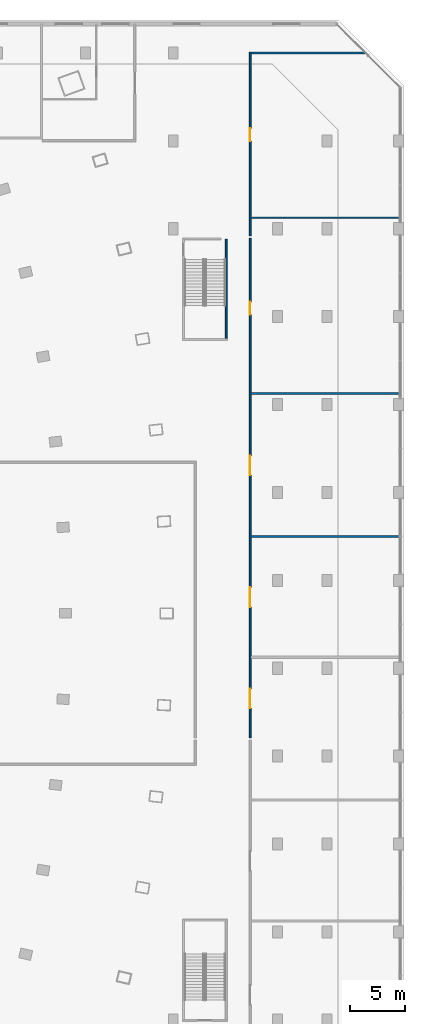
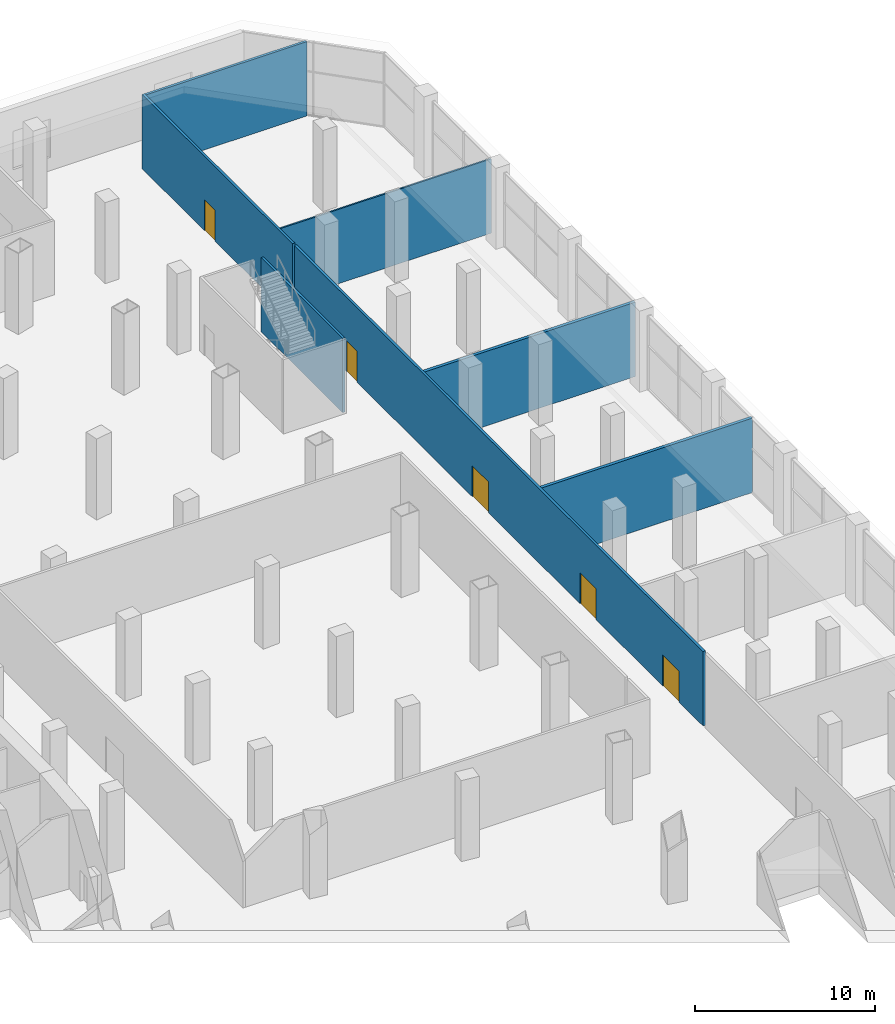
# One storey, part 18 of 26: 7 walls, 5 doors, 5 openings.
"""IFC4 building model written with IfcOpenShell, lengths in metres."""

import ifcopenshell
import ifcopenshell.guid

model = None  # the IFC model being written
_history = None  # IfcOwnerHistory: only IFC2X3 demands one
_inside = {}  # id of a spatial element -> (the spatial element, [elements in it])
_under = {}  # id of a project, library or spatial element -> (it, [spatial elements below it])
_declared = {}  # id of a project -> (the project, [libraries it declares])
_typed = {}  # id of a type object -> (the type object, [elements of that type])
_made_of = {}  # id of a material, layer set ... -> (it, [elements and type objects made of it])


def new_model(schema):
    """Start an empty IFC model of exactly this schema.

    Asked for "IFC4X3", IfcOpenShell would pick the latest addendum, in which some entities
    have other attributes; the version numbers below select the first issue.
    IFC2X3 requires an IfcOwnerHistory on every rooted entity: one is made here for all.
    """
    global model, _history
    if schema == "IFC4X3":
        model = ifcopenshell.file(schema_version=(4, 3, 0, 0))
    else:
        model = ifcopenshell.file(schema=schema)
    _inside.clear()
    _under.clear()
    _declared.clear()
    _typed.clear()
    _made_of.clear()
    _history = None
    if model.schema == "IFC2X3":
        org = make("IfcOrganization", Name="unknown")
        user = make(
            "IfcPersonAndOrganization",
            ThePerson=make("IfcPerson", FamilyName="unknown"),
            TheOrganization=org,
        )
        app = make(
            "IfcApplication",
            ApplicationDeveloper=org,
            Version="unknown",
            ApplicationFullName="unknown",
            ApplicationIdentifier="unknown",
        )
        _history = make(
            "IfcOwnerHistory",
            OwningUser=user,
            OwningApplication=app,
            ChangeAction="ADDED",
            CreationDate=0,
        )
    return model


def make(cls, **values):
    """One entity of the class cls with the attributes given. An attribute that is None is left unset."""
    return model.create_entity(
        cls, **{name: value for name, value in values.items() if value is not None}
    )


def rooted(cls, **values):
    """An entity with a GlobalId (a new one), such as an element, a storey or a relation."""
    return make(cls, GlobalId=ifcopenshell.guid.new(), OwnerHistory=_history, **values)


def si_unit(unit_type, name, prefix=None):
    """IfcSIUnit, for example si_unit("LENGTHUNIT", "METRE", prefix="MILLI")."""
    return make("IfcSIUnit", UnitType=unit_type, Prefix=prefix, Name=name)


def assignment(units):
    """IfcUnitAssignment: the units of a project."""
    return None if units is None else make("IfcUnitAssignment", Units=units)


def point(xyz):
    """IfcCartesianPoint."""
    return None if xyz is None else make("IfcCartesianPoint", Coordinates=xyz)


def direction(xyz):
    """IfcDirection."""
    return None if xyz is None else make("IfcDirection", DirectionRatios=xyz)


def frame(location, z_axis=None, x_axis=None):
    """IfcAxis2Placement3D, a coordinate frame: its origin and axes. An axis left out is left unset."""
    return make(
        "IfcAxis2Placement3D",
        Location=point(location),
        Axis=direction(z_axis),
        RefDirection=direction(x_axis),
    )


def frame_2d(location, x_axis=None):
    """IfcAxis2Placement2D, a coordinate frame in the plane: its origin and x axis."""
    return make(
        "IfcAxis2Placement2D", Location=point(location), RefDirection=direction(x_axis)
    )


def origin():
    """The frame at (0, 0, 0) with its axes left unset."""
    return frame((0.0, 0.0, 0.0))


def place(relative_to, where):
    """IfcLocalPlacement: puts the frame where relative to a parent placement (None: the world)."""
    return make(
        "IfcLocalPlacement", PlacementRelTo=relative_to, RelativePlacement=where
    )


def context(
    kind, dimensions, precision=None, world=None, true_north=None, identifier=None
):
    """IfcGeometricRepresentationContext, for example the 3D "Model" context."""
    return make(
        "IfcGeometricRepresentationContext",
        ContextIdentifier=identifier,
        ContextType=kind,
        CoordinateSpaceDimension=dimensions,
        Precision=precision,
        WorldCoordinateSystem=world,
        TrueNorth=true_north,
    )


def subcontext(parent, identifier, kind, view, scale=None):
    """IfcGeometricRepresentationSubContext, for example "Body" below "Model"."""
    return make(
        "IfcGeometricRepresentationSubContext",
        ContextIdentifier=identifier,
        ContextType=kind,
        ParentContext=parent,
        TargetScale=scale,
        TargetView=view,
    )


def project(units=None, contexts=None):
    """IfcProject with its units and contexts."""
    return rooted(
        "IfcProject",
        Name="project",
        RepresentationContexts=contexts,
        UnitsInContext=assignment(units),
    )


def spatial(cls, under=None, at=None, **own):
    """A site, building, storey or space (cls), placed at a placement, below another one or the project."""
    s = rooted(cls, ObjectPlacement=at, **own)
    if under is not None:
        _under.setdefault(under.id(), (under, []))[1].append(s)
    return s


def profile(cls, at=None, kind="AREA", **sizes):
    """A parametric profile (cls). Its sizes go by their IFC names, for example OverallWidth=200.0."""
    return make(cls, ProfileType=kind, Position=at, **sizes)


def rectangle(**sizes):
    """IfcRectangleProfileDef."""
    return profile("IfcRectangleProfileDef", **sizes)


def extrude(swept, where, along, depth):
    """IfcExtrudedAreaSolid: the profile swept, set in the frame where, extruded along a direction by depth."""
    return make(
        "IfcExtrudedAreaSolid",
        SweptArea=swept,
        Position=where,
        ExtrudedDirection=direction(along),
        Depth=depth,
    )


def shape(context_of_items, identifier, shape_type, items):
    """IfcShapeRepresentation: the items that make up one representation, for example the "Body"."""
    return make(
        "IfcShapeRepresentation",
        ContextOfItems=context_of_items,
        RepresentationIdentifier=identifier,
        RepresentationType=shape_type,
        Items=items,
    )


def material(Name=None, Category=None):
    """IfcMaterial."""
    return make("IfcMaterial", Name=Name, Category=Category)


def layer(
    of_material, thickness, ventilated=None, Name=None, Category=None, Priority=None
):
    """IfcMaterialLayer: one layer of a wall or slab, of a material (None: an air gap)."""
    return make(
        "IfcMaterialLayer",
        Material=of_material,
        LayerThickness=thickness,
        IsVentilated=ventilated,
        Name=Name,
        Category=Category,
        Priority=Priority,
    )


def layer_set(layers, Name=None):
    """IfcMaterialLayerSet."""
    return make("IfcMaterialLayerSet", MaterialLayers=layers, LayerSetName=Name)


def made_of(thing, what):
    """Note that an element or type object is made of a material, layer set ...; save() writes the relation."""
    if what is not None:
        _made_of.setdefault(what.id(), (what, []))[1].append(thing)
    return thing


def type_object(cls, material=None, **own):
    """A type object (cls), such as IfcWallType, which elements share."""
    return made_of(rooted(cls, **own), material)


def element(
    cls,
    number,
    at=None,
    inside=None,
    cuts=None,
    type_object=None,
    material=None,
    context=None,
    identifier="Body",
    shape_type=None,
    held_by="IfcProductDefinitionShape",
    body=None,
    shapes=None,
    **own,
):
    """One element of the class cls, such as IfcWall. Its Tag is "e" and its number.

    at: its placement. inside: the storey or other place that contains it. cuts: it is an
    opening in that element (IfcRelVoidsElement). A single representation is given by context,
    identifier, shape_type and body (its items); several are given by shapes. held_by: the class
    of the entity that holds the representations. save() writes the other relations.
    """
    e = rooted(cls, Tag="e%d" % number, ObjectPlacement=at, **own)
    if body is not None:
        shapes = [shape(context, identifier, shape_type, body)]
    if shapes is not None:
        e.Representation = make(held_by, Representations=shapes)
    if inside is not None:
        _inside.setdefault(inside.id(), (inside, []))[1].append(e)
    if cuts is not None:
        rooted(
            "IfcRelVoidsElement", RelatingBuildingElement=cuts, RelatedOpeningElement=e
        )
    if type_object is not None:
        _typed.setdefault(type_object.id(), (type_object, []))[1].append(e)
    return made_of(e, material)


def fill(opening, filler):
    """IfcRelFillsElement: the door or window that sits in an opening."""
    return rooted(
        "IfcRelFillsElement",
        RelatingOpeningElement=opening,
        RelatedBuildingElement=filler,
    )


def aggregate(whole, parts):
    """IfcRelAggregates: a whole, such as a stair, and the parts it consists of."""
    return rooted("IfcRelAggregates", RelatingObject=whole, RelatedObjects=parts)


def save(model, path):
    """Write the relations noted so far, then the file.

    IfcRelAggregates (storeys below a building ...), IfcRelContainedInSpatialStructure (elements
    in a storey), IfcRelDefinesByType, IfcRelAssociatesMaterial and IfcRelDeclares: one each for
    every whole, place, type object, material and project.
    """
    for whole, parts in _under.values():
        aggregate(whole, parts)
    for where, things in _inside.values():
        rooted(
            "IfcRelContainedInSpatialStructure",
            RelatedElements=things,
            RelatingStructure=where,
        )
    for kind, things in _typed.values():
        rooted("IfcRelDefinesByType", RelatedObjects=things, RelatingType=kind)
    for what, things in _made_of.values():
        rooted("IfcRelAssociatesMaterial", RelatedObjects=things, RelatingMaterial=what)
    for by, libraries in _declared.values():
        rooted("IfcRelDeclares", RelatingContext=by, RelatedDefinitions=libraries)
    model.write(path)


model = new_model("IFC4")

# Units and contexts
model_context = context("Model", 3, precision=1e-05, world=origin(), true_north=direction((0.0, 1.0)))
body_context = subcontext(model_context, "Body", "Model", "MODEL_VIEW")
ifc_project = project(units=[si_unit("LENGTHUNIT", "METRE"), si_unit("AREAUNIT", "SQUARE_METRE"), si_unit("VOLUMEUNIT", "CUBIC_METRE"), si_unit("PLANEANGLEUNIT", "RADIAN"), si_unit("MASSUNIT", "GRAM", prefix="KILO")], contexts=[model_context])

# Site, building, storey
site_placement = place(None, origin())
site = spatial("IfcSite", under=ifc_project, at=site_placement, CompositionType="ELEMENT")
building_placement = place(site_placement, origin())
building = spatial("IfcBuilding", under=site, at=building_placement, Name="Alderwake Tower", CompositionType="ELEMENT")
storey_placement = place(building_placement, frame((0.0, 0.0, 8.0)))
storey = spatial("IfcBuildingStorey", under=building, at=storey_placement, Name="L01", CompositionType="ELEMENT", Elevation=8.0)

# Wall, openings, doors
ifc_material_1 = material(Name="Gypsum board on metal studs, rated")
ifc_layer_1 = layer(ifc_material_1, 0.159912109375)
ifc_layer_set_1 = layer_set([ifc_layer_1], Name="Corridor wall 160")
wall_type_1 = type_object("IfcWallType", Name="Corridor wall 160", PredefinedType="PARTITIONING", material=ifc_layer_set_1)
wall_1_placement = place(storey_placement, frame((71.0009765625, 49.667724609375, 0.0), z_axis=(0.0, 0.0, 1.0), x_axis=(0.0, 1.0, 0.0)))
wall_1 = element("IfcWall", 1, at=wall_1_placement, inside=storey, type_object=wall_type_1, Name="WL/L01/W61", PredefinedType="PARTITIONING", context=body_context, shape_type="SweptSolid", body=[
    extrude(rectangle(XDim=45.476318359375, YDim=0.159912109375, at=frame_2d((22.73828125, 0.0))), origin(), (0.0, 0.0, 1.0), 5.050048828125),
])
opening_1_placement = place(wall_1_placement, frame((2.682373046875, 0.0, 0.0)))
opening_1 = element("IfcOpeningElement", 2, at=opening_1_placement, cuts=wall_1, Name="Opening L01-04", PredefinedType="OPENING", context=body_context, shape_type="SweptSolid", body=[
    extrude(rectangle(XDim=1.800048828125, YDim=2.10009765625, at=frame_2d((0.89990234375, 1.050048828125))), frame((0.0, 0.08984375, 0.0), z_axis=(0.0, -1.0, 0.0), x_axis=(1.0, 0.0, 0.0)), (0.0, 0.0, 1.0), 0.179931640625),
])
opening_2_placement = place(wall_1_placement, frame((11.88232421875, 0.0, 0.0)))
opening_2 = element("IfcOpeningElement", 3, at=opening_2_placement, cuts=wall_1, Name="Opening L01-05", PredefinedType="OPENING", context=body_context, shape_type="SweptSolid", body=[
    extrude(rectangle(XDim=1.800048828125, YDim=2.10009765625, at=frame_2d((0.89990234375, 1.050048828125))), frame((0.0, 0.08984375, 0.0), z_axis=(0.0, -1.0, 0.0), x_axis=(1.0, 0.0, 0.0)), (0.0, 0.0, 1.0), 0.179931640625),
])
opening_3_placement = place(wall_1_placement, frame((23.88232421875, 0.0, 0.0)))
opening_3 = element("IfcOpeningElement", 4, at=opening_3_placement, cuts=wall_1, Name="Opening L01-06", PredefinedType="OPENING", context=body_context, shape_type="SweptSolid", body=[
    extrude(rectangle(XDim=1.800048828125, YDim=2.10009765625, at=frame_2d((0.89990234375, 1.050048828125))), frame((0.0, 0.08984375, 0.0), z_axis=(0.0, -1.0, 0.0), x_axis=(1.0, 0.0, 0.0)), (0.0, 0.0, 1.0), 0.179931640625),
])
opening_4_placement = place(wall_1_placement, frame((38.482421875, 0.0, 0.0)))
opening_4 = element("IfcOpeningElement", 5, at=opening_4_placement, cuts=wall_1, Name="Opening L01-07", PredefinedType="OPENING", context=body_context, shape_type="SweptSolid", body=[
    extrude(rectangle(XDim=1.199951171875, YDim=2.10009765625, at=frame_2d((0.60009765625, 1.050048828125))), frame((0.0, 0.08984375, 0.0), z_axis=(0.0, -1.0, 0.0), x_axis=(1.0, 0.0, 0.0)), (0.0, 0.0, 1.0), 0.179931640625),
])
ifc_material_2 = material(Name="Steel door leaf in steel frame", Category="steel")
door_type_1 = type_object("IfcDoorType", Name="Plant room door 1200 steel", OperationType="SINGLE_SWING_LEFT", PredefinedType="DOOR", material=ifc_material_2)
door_1_placement = place(opening_4_placement, origin())
door_1 = element("IfcDoor", 6, at=door_1_placement, inside=storey, type_object=door_type_1, Name="DR/L01/07", OperationType="SINGLE_SWING_LEFT", OverallHeight=2.10009765625, OverallWidth=1.199951171875, PredefinedType="DOOR", context=body_context, shape_type="SweptSolid", body=[
    extrude(rectangle(XDim=1.199951171875, YDim=2.10009765625, at=frame_2d((0.60009765625, 1.050048828125))), frame((0.0, 0.02490234375, 0.0), z_axis=(0.0, -1.0, 0.0), x_axis=(1.0, 0.0, 0.0)), (0.0, 0.0, 1.0), 0.050048828125),
])
fill(opening_4, door_1)
ifc_material_3 = material(Name="Aluminium framed glazed leaves", Category="aluminium")
door_type_2 = type_object("IfcDoorType", Name="Shopfront door 1800 glazed double", OperationType="DOUBLE_DOOR_SINGLE_SWING", PredefinedType="DOOR", material=ifc_material_3)
door_2_placement = place(opening_1_placement, origin())
door_2 = element("IfcDoor", 7, at=door_2_placement, inside=storey, type_object=door_type_2, Name="DR/L01/04", OperationType="DOUBLE_DOOR_SINGLE_SWING", OverallHeight=2.10009765625, OverallWidth=1.800048828125, PredefinedType="DOOR", context=body_context, shape_type="SweptSolid", body=[
    extrude(rectangle(XDim=1.800048828125, YDim=2.10009765625, at=frame_2d((0.89990234375, 1.050048828125))), frame((0.0, 0.02490234375, 0.0), z_axis=(0.0, -1.0, 0.0), x_axis=(1.0, 0.0, 0.0)), (0.0, 0.0, 1.0), 0.050048828125),
])
fill(opening_1, door_2)
door_3_placement = place(opening_2_placement, origin())
door_3 = element("IfcDoor", 8, at=door_3_placement, inside=storey, type_object=door_type_2, Name="DR/L01/05", OperationType="DOUBLE_DOOR_SINGLE_SWING", OverallHeight=2.10009765625, OverallWidth=1.800048828125, PredefinedType="DOOR", context=body_context, shape_type="SweptSolid", body=[
    extrude(rectangle(XDim=1.800048828125, YDim=2.10009765625, at=frame_2d((0.89990234375, 1.050048828125))), frame((0.0, 0.02490234375, 0.0), z_axis=(0.0, -1.0, 0.0), x_axis=(1.0, 0.0, 0.0)), (0.0, 0.0, 1.0), 0.050048828125),
])
fill(opening_2, door_3)
door_4_placement = place(opening_3_placement, origin())
door_4 = element("IfcDoor", 9, at=door_4_placement, inside=storey, type_object=door_type_2, Name="DR/L01/06", OperationType="DOUBLE_DOOR_SINGLE_SWING", OverallHeight=2.10009765625, OverallWidth=1.800048828125, PredefinedType="DOOR", context=body_context, shape_type="SweptSolid", body=[
    extrude(rectangle(XDim=1.800048828125, YDim=2.10009765625, at=frame_2d((0.89990234375, 1.050048828125))), frame((0.0, 0.02490234375, 0.0), z_axis=(0.0, -1.0, 0.0), x_axis=(1.0, 0.0, 0.0)), (0.0, 0.0, 1.0), 0.050048828125),
])
fill(opening_3, door_4)

# Wall, opening, door
wall_2_placement = place(storey_placement, frame((71.0009765625, 95.351806640625, 0.0), z_axis=(0.0, 0.0, 1.0), x_axis=(0.0, 1.0, 0.0)))
wall_2 = element("IfcWall", 10, at=wall_2_placement, inside=storey, type_object=wall_type_1, Name="WL/L01/W62", PredefinedType="PARTITIONING", context=body_context, shape_type="SweptSolid", body=[
    extrude(rectangle(XDim=16.727294921875, YDim=0.159912109375, at=frame_2d((8.36376953125, 0.0))), origin(), (0.0, 0.0, 1.0), 5.050048828125),
])
opening_5_placement = place(wall_2_placement, frame((8.598388671875, 0.0, 0.0)))
opening_5 = element("IfcOpeningElement", 11, at=opening_5_placement, cuts=wall_2, Name="Opening L01-08", PredefinedType="OPENING", context=body_context, shape_type="SweptSolid", body=[
    extrude(rectangle(XDim=1.199951171875, YDim=2.10009765625, at=frame_2d((0.60009765625, 1.050048828125))), frame((0.0, 0.08984375, 0.0), z_axis=(0.0, -1.0, 0.0), x_axis=(1.0, 0.0, 0.0)), (0.0, 0.0, 1.0), 0.179931640625),
])
door_5_placement = place(opening_5_placement, origin())
door_5 = element("IfcDoor", 12, at=door_5_placement, inside=storey, type_object=door_type_1, Name="DR/L01/08", OperationType="SINGLE_SWING_LEFT", OverallHeight=2.10009765625, OverallWidth=1.199951171875, PredefinedType="DOOR", context=body_context, shape_type="SweptSolid", body=[
    extrude(rectangle(XDim=1.199951171875, YDim=2.10009765625, at=frame_2d((0.60009765625, 1.050048828125))), frame((0.0, 0.02490234375, 0.0), z_axis=(0.0, -1.0, 0.0), x_axis=(1.0, 0.0, 0.0)), (0.0, 0.0, 1.0), 0.050048828125),
])
fill(opening_5, door_5)

# Walls
wall_3_placement = place(storey_placement, frame((71.0810546875, 111.9990234375, 0.0), z_axis=(0.0, 0.0, 1.0), x_axis=(1.0, 0.0, 0.0)))
element("IfcWall", 13, at=wall_3_placement, inside=storey, type_object=wall_type_1, Name="WL/L01/W63", PredefinedType="PARTITIONING", context=body_context, shape_type="SweptSolid", body=[
    extrude(rectangle(XDim=10.332763671875, YDim=0.159912109375, at=frame_2d((5.16650390625, 0.0))), origin(), (0.0, 0.0, 1.0), 5.050048828125),
])
ifc_material_4 = material(Name="Dense block masonry wall", Category="masonry")
ifc_layer_2 = layer(ifc_material_4, 0.199951171875)
ifc_layer_set_2 = layer_set([ifc_layer_2], Name="Party wall 200")
wall_type_2 = type_object("IfcWallType", Name="Party wall 200", PredefinedType="SOLIDWALL", material=ifc_layer_set_2)
for number, where, z_axis, x_axis, name in (
    (14, (84.6201171875, 68.0009765625, 0.0), (0.0, 0.0, 1.0), (-1.0, 0.0, 0.0), "WL/L01/W06"),
    (15, (84.6201171875, 81.0, 0.0), (0.0, 0.0, 1.0), (-1.0, 0.0, 0.0), "WL/L01/W07"),
):
    element("IfcWall", number, at=place(storey_placement, frame(where, z_axis=z_axis, x_axis=x_axis)), inside=storey, type_object=wall_type_2, Name=name, PredefinedType="SOLIDWALL", context=body_context, shape_type="SweptSolid", body=[
        extrude(rectangle(XDim=13.5390625, YDim=0.199951171875, at=frame_2d((6.76953125, 0.0))), origin(), (0.0, 0.0, 1.0), 5.050048828125),
    ])
ifc_material_5 = material(Name="Concrete C40/50", Category="concrete")
ifc_layer_3 = layer(ifc_material_5, 0.14990234375)
ifc_layer_set_3 = layer_set([ifc_layer_3], Name="Stair shaft wall 150 C40/50")
wall_type_3 = type_object("IfcWallType", Name="Stair shaft wall 150 C40/50", PredefinedType="SHEAR", material=ifc_layer_set_3)
wall_4_placement = place(storey_placement, frame((68.825927734375, 86.0009765625, 0.0), z_axis=(0.0, 0.0, 1.0), x_axis=(0.0, 1.0, 0.0)))
element("IfcWall", 16, at=wall_4_placement, inside=storey, type_object=wall_type_3, Name="WL/L01/W25", PredefinedType="SHEAR", context=body_context, shape_type="SweptSolid", body=[
    extrude(rectangle(XDim=9.06298828125, YDim=0.14990234375, at=frame_2d((4.531494140625, 0.0))), origin(), (0.0, 0.0, 1.0), 5.050048828125),
])
ifc_material_6 = material(Name="Gypsum board on metal studs")
ifc_layer_4 = layer(ifc_material_6, 0.10009765625)
ifc_layer_set_4 = layer_set([ifc_layer_4], Name="Unit partition 100")
wall_type_4 = type_object("IfcWallType", Name="Unit partition 100", PredefinedType="PARTITIONING", material=ifc_layer_set_4)
wall_5_placement = place(storey_placement, frame((84.6201171875, 96.9990234375, 0.0), z_axis=(0.0, 0.0, 1.0), x_axis=(-1.0, 0.0, 0.0)))
element("IfcWall", 17, at=wall_5_placement, inside=storey, type_object=wall_type_4, Name="WL/L01/W70", PredefinedType="PARTITIONING", context=body_context, shape_type="SweptSolid", body=[
    extrude(rectangle(XDim=13.5390625, YDim=0.10009765625, at=frame_2d((6.76953125, 0.0))), origin(), (0.0, 0.0, 1.0), 5.050048828125),
])

save(model, "model.ifc")
